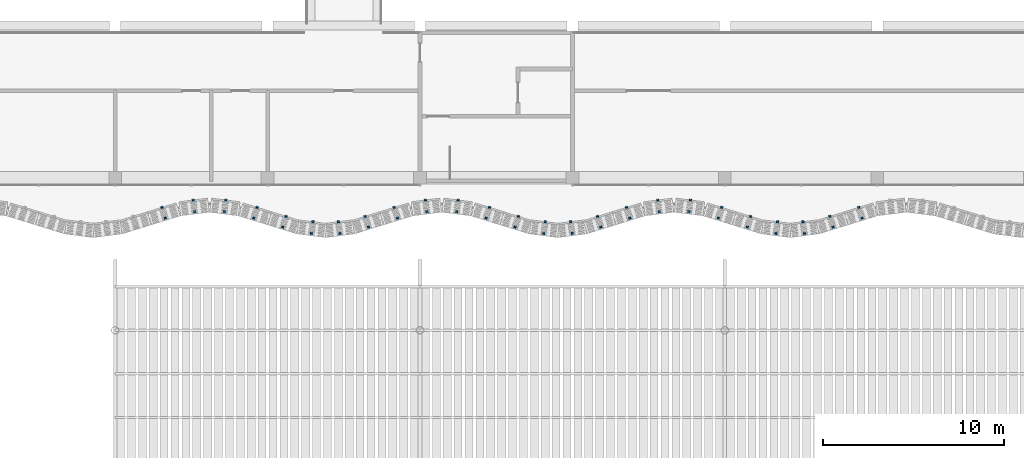
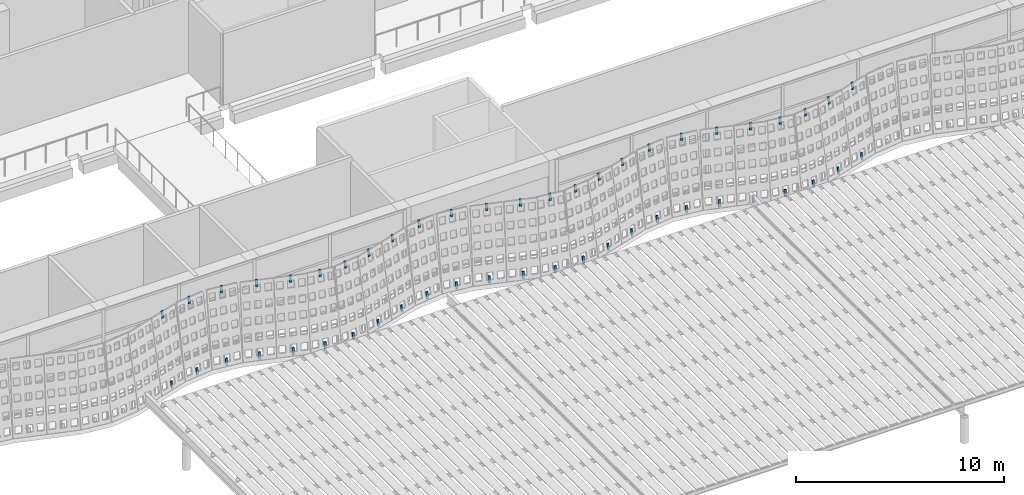
# One storey, part 107 of 162: 50 discrete accessories.
"""IFC4 building model written with IfcOpenShell, lengths in metres."""

from ifc_helpers import new_model, si_unit, direction, frame, origin, origin_2d, place, context, subcontext, project, spatial, rectangle, extrude, material, material_profile, profile_set, type_object, element, save


model = new_model("IFC4")

# Units and contexts
model_context = context("Model", 3, precision=1e-05, world=origin(), true_north=direction((0.0, 1.0)))
body_context = subcontext(model_context, "Body", "Model", "MODEL_VIEW")
ifc_project = project(units=[si_unit("LENGTHUNIT", "METRE"), si_unit("AREAUNIT", "SQUARE_METRE"), si_unit("VOLUMEUNIT", "CUBIC_METRE"), si_unit("PLANEANGLEUNIT", "RADIAN"), si_unit("MASSUNIT", "GRAM", prefix="KILO")], contexts=[model_context])

# Site, building, storey
site_placement = place(None, origin())
site = spatial("IfcSite", under=ifc_project, at=site_placement, CompositionType="ELEMENT")
building_placement = place(site_placement, origin())
building = spatial("IfcBuilding", under=site, at=building_placement, Name="Rain Tree Exposition and Congress Centre", CompositionType="ELEMENT")
storey_placement = place(building_placement, frame((0.0, 0.0, 6.0)))
storey = spatial("IfcBuildingStorey", under=building, at=storey_placement, Name="L01", CompositionType="ELEMENT", Elevation=6.0)

# Discrete accessories
ifc_material = material(Name="Steel S355J2", Category="steel")
ifc_material_profile = material_profile(ifc_material, rectangle(XDim=0.1201171875, YDim=0.050048828125, at=origin_2d()), Name="Flat bar 120x50")
ifc_profile_set = profile_set([ifc_material_profile], Name="Steel S355J2")
discrete_accessory_type = type_object("IfcDiscreteAccessoryType", Name="Screen bracket 120x50", PredefinedType="BRACKET", material=ifc_profile_set)
for number, where, z_axis, x_axis, name in (
    (1, (61.38671875, 73.936279296875, 3.85107421875), (-0.046383656621, 0.150746884018, 0.987483637007), (-0.955779008722, -0.294085848838, 0.0), "concourse/bracket/L01/0391t"),
    (2, (61.569091796875, 73.347412109375, 0.00390625), (-0.046988297524, 0.151338932283, 0.987364485624), (-0.955026538869, -0.296520336665, 0.0), "concourse/bracket/L01/0391b"),
):
    element("IfcDiscreteAccessory", number, at=place(storey_placement, frame(where, z_axis=z_axis, x_axis=x_axis)), inside=storey, type_object=discrete_accessory_type, Name=name, PredefinedType="BRACKET", context=body_context, shape_type="SweptSolid", body=[
        extrude(rectangle(XDim=0.1201171875, YDim=0.050048828125, at=origin_2d()), origin(), (0.0, 0.0, 1.0), 0.400146484375),
    ])
for number, where, z_axis, x_axis, name in (
    (3, (63.105224609375, 74.336181640625, 3.851318359375), (-0.020753706516, 0.162977636468, 0.986411462665), (-0.991989449114, -0.12632075382, 0.0), "concourse/bracket/L01/0401t"),
    (4, (63.1865234375, 73.701416015625, 0.004150390625), (-0.020753706516, 0.162977636468, 0.986411462665), (-0.991989449114, -0.12632075382, 0.0), "concourse/bracket/L01/0401b"),
    (5, (64.894775390625, 74.336181640625, 3.851318359375), (0.020753706516, 0.162977636468, 0.986411462665), (-0.991989449114, 0.12632075382, 0.0), "concourse/bracket/L01/0411t"),
    (6, (64.8134765625, 73.701416015625, 0.004150390625), (0.020753706516, 0.162977636468, 0.986411462665), (-0.991989449114, 0.12632075382, 0.0), "concourse/bracket/L01/0411b"),
):
    element("IfcDiscreteAccessory", number, at=place(storey_placement, frame(where, z_axis=z_axis, x_axis=x_axis)), inside=storey, type_object=discrete_accessory_type, Name=name, PredefinedType="BRACKET", context=body_context, shape_type="SweptSolid", body=[
        extrude(rectangle(XDim=0.1201171875, YDim=0.050048828125, at=origin_2d()), origin(), (0.0, 0.0, 1.0), 0.39990234375),
    ])
for number, where, z_axis, x_axis, name in (
    (7, (66.61328125, 73.936279296875, 3.85107421875), (0.046383656621, 0.150746884018, 0.987483637007), (-0.955779008722, 0.294085848838, 0.0), "concourse/bracket/L01/0421t"),
    (8, (66.430908203125, 73.347412109375, 0.00390625), (0.046988297524, 0.151338932283, 0.987364485624), (-0.955026538869, 0.296520336665, 0.0), "concourse/bracket/L01/0421b"),
    (9, (68.2099609375, 73.4423828125, 3.85107421875), (0.046383656621, 0.150746884018, 0.987483637007), (-0.955779008722, 0.294085848838, 0.0), "concourse/bracket/L01/0431t"),
    (10, (68.027587890625, 72.853515625, 0.00390625), (0.04699262887, 0.150742588713, 0.987455500152), (-0.954686073127, 0.297614686764, 0.0), "concourse/bracket/L01/0431b"),
):
    element("IfcDiscreteAccessory", number, at=place(storey_placement, frame(where, z_axis=z_axis, x_axis=x_axis)), inside=storey, type_object=discrete_accessory_type, Name=name, PredefinedType="BRACKET", context=body_context, shape_type="SweptSolid", body=[
        extrude(rectangle(XDim=0.1201171875, YDim=0.050048828125, at=origin_2d()), origin(), (0.0, 0.0, 1.0), 0.400146484375),
    ])
for number, where, z_axis, x_axis, name in (
    (11, (69.693115234375, 73.141357421875, 3.851318359375), (0.020753706516, 0.162977636468, 0.986411462665), (-0.991989449114, 0.12632075382, 0.0), "concourse/bracket/L01/0441t"),
    (12, (69.61181640625, 72.506591796875, 0.004150390625), (0.020753706516, 0.162977636468, 0.986411462665), (-0.991989449114, 0.12632075382, 0.0), "concourse/bracket/L01/0441b"),
    (13, (71.10693359375, 73.141357421875, 3.851318359375), (-0.020753706516, 0.162977636468, 0.986411462665), (-0.991989449114, -0.12632075382, 0.0), "concourse/bracket/L01/0451t"),
    (14, (71.188232421875, 72.506591796875, 0.004150390625), (-0.020753706516, 0.162977636468, 0.986411462665), (-0.991989449114, -0.12632075382, 0.0), "concourse/bracket/L01/0451b"),
):
    element("IfcDiscreteAccessory", number, at=place(storey_placement, frame(where, z_axis=z_axis, x_axis=x_axis)), inside=storey, type_object=discrete_accessory_type, Name=name, PredefinedType="BRACKET", context=body_context, shape_type="SweptSolid", body=[
        extrude(rectangle(XDim=0.1201171875, YDim=0.050048828125, at=origin_2d()), origin(), (0.0, 0.0, 1.0), 0.39990234375),
    ])
for number, where, z_axis, x_axis, name in (
    (15, (72.590087890625, 73.4423828125, 3.85107421875), (-0.04699262887, 0.150742588713, 0.987455500152), (-0.954686073127, -0.297614686764, 0.0), "concourse/bracket/L01/0461t"),
    (16, (72.772216796875, 72.853515625, 0.00390625), (-0.046383656621, 0.150746884018, 0.987483637007), (-0.955779008722, -0.294085848838, 0.0), "concourse/bracket/L01/0461b"),
    (17, (74.186767578125, 73.936279296875, 3.85107421875), (-0.046383656621, 0.150746884018, 0.987483637007), (-0.955779008722, -0.294085848838, 0.0), "concourse/bracket/L01/0471t"),
    (18, (74.368896484375, 73.347412109375, 0.00390625), (-0.04637938116, 0.151343243786, 0.9873926147), (-0.956111824862, -0.293002010845, 0.0), "concourse/bracket/L01/0471b"),
):
    element("IfcDiscreteAccessory", number, at=place(storey_placement, frame(where, z_axis=z_axis, x_axis=x_axis)), inside=storey, type_object=discrete_accessory_type, Name=name, PredefinedType="BRACKET", context=body_context, shape_type="SweptSolid", body=[
        extrude(rectangle(XDim=0.1201171875, YDim=0.050048828125, at=origin_2d()), origin(), (0.0, 0.0, 1.0), 0.400146484375),
    ])
for number, where, z_axis, x_axis, name in (
    (19, (75.9052734375, 74.336181640625, 3.851318359375), (-0.020753706516, 0.162977636468, 0.986411462665), (-0.991989449114, -0.12632075382, 0.0), "concourse/bracket/L01/0481t"),
    (20, (75.986572265625, 73.701416015625, 0.004150390625), (-0.020753706516, 0.162977636468, 0.986411462665), (-0.991989449114, -0.12632075382, 0.0), "concourse/bracket/L01/0481b"),
    (21, (77.694580078125, 74.336181640625, 3.851318359375), (0.020753706516, 0.162977636468, 0.986411462665), (-0.991989449114, 0.12632075382, 0.0), "concourse/bracket/L01/0491t"),
    (22, (77.61328125, 73.701416015625, 0.004150390625), (0.020753706516, 0.162977636468, 0.986411462665), (-0.991989449114, 0.12632075382, 0.0), "concourse/bracket/L01/0491b"),
):
    element("IfcDiscreteAccessory", number, at=place(storey_placement, frame(where, z_axis=z_axis, x_axis=x_axis)), inside=storey, type_object=discrete_accessory_type, Name=name, PredefinedType="BRACKET", context=body_context, shape_type="SweptSolid", body=[
        extrude(rectangle(XDim=0.1201171875, YDim=0.050048828125, at=origin_2d()), origin(), (0.0, 0.0, 1.0), 0.39990234375),
    ])
for number, where, z_axis, x_axis, name in (
    (23, (79.4130859375, 73.936279296875, 3.85107421875), (0.04699262887, 0.150742588713, 0.987455500152), (-0.954686073127, 0.297614686764, 0.0), "concourse/bracket/L01/0501t"),
    (24, (79.23095703125, 73.347412109375, 0.00390625), (0.046988297524, 0.151338932283, 0.987364485624), (-0.955026538869, 0.296520336665, 0.0), "concourse/bracket/L01/0501b"),
    (25, (81.010009765625, 73.4423828125, 3.85107421875), (0.046383656621, 0.150746884018, 0.987483637007), (-0.955779008722, 0.294085848838, 0.0), "concourse/bracket/L01/0511t"),
    (26, (80.82763671875, 72.853515625, 0.00390625), (0.04699262887, 0.150742588713, 0.987455500152), (-0.954686073127, 0.297614686764, 0.0), "concourse/bracket/L01/0511b"),
):
    element("IfcDiscreteAccessory", number, at=place(storey_placement, frame(where, z_axis=z_axis, x_axis=x_axis)), inside=storey, type_object=discrete_accessory_type, Name=name, PredefinedType="BRACKET", context=body_context, shape_type="SweptSolid", body=[
        extrude(rectangle(XDim=0.1201171875, YDim=0.050048828125, at=origin_2d()), origin(), (0.0, 0.0, 1.0), 0.400146484375),
    ])
for number, where, z_axis, x_axis, name in (
    (27, (82.492919921875, 73.141357421875, 3.851318359375), (0.021363835031, 0.162975541524, 0.986398783159), (-0.991517377774, 0.129974188098, 0.0), "concourse/bracket/L01/0521t"),
    (28, (82.41162109375, 72.506591796875, 0.004150390625), (0.020753706516, 0.162977636468, 0.986411462665), (-0.991989449114, 0.12632075382, 0.0), "concourse/bracket/L01/0521b"),
    (29, (83.906982421875, 73.141357421875, 3.851318359375), (-0.020753706516, 0.162977636468, 0.986411462665), (-0.991989449114, -0.12632075382, 0.0), "concourse/bracket/L01/0531t"),
    (30, (83.98828125, 72.506591796875, 0.004150390625), (-0.020753706516, 0.162977636468, 0.986411462665), (-0.991989449114, -0.12632075382, 0.0), "concourse/bracket/L01/0531b"),
):
    element("IfcDiscreteAccessory", number, at=place(storey_placement, frame(where, z_axis=z_axis, x_axis=x_axis)), inside=storey, type_object=discrete_accessory_type, Name=name, PredefinedType="BRACKET", context=body_context, shape_type="SweptSolid", body=[
        extrude(rectangle(XDim=0.1201171875, YDim=0.050048828125, at=origin_2d()), origin(), (0.0, 0.0, 1.0), 0.39990234375),
    ])
for number, where, z_axis, x_axis, name in (
    (31, (85.39013671875, 73.4423828125, 3.85107421875), (-0.04699262887, 0.150742588713, 0.987455500152), (-0.954686073127, -0.297614686764, 0.0), "concourse/bracket/L01/0541t"),
    (32, (85.572265625, 72.853515625, 0.00390625), (-0.046383656621, 0.150746884018, 0.987483637007), (-0.955779008722, -0.294085848838, 0.0), "concourse/bracket/L01/0541b"),
    (33, (86.98681640625, 73.936279296875, 3.85107421875), (-0.04699262887, 0.150742588713, 0.987455500152), (-0.954686073127, -0.297614686764, 0.0), "concourse/bracket/L01/0551t"),
    (34, (87.1689453125, 73.347412109375, 0.00390625), (-0.04637938116, 0.151343243786, 0.9873926147), (-0.956111824862, -0.293002010845, 0.0), "concourse/bracket/L01/0551b"),
):
    element("IfcDiscreteAccessory", number, at=place(storey_placement, frame(where, z_axis=z_axis, x_axis=x_axis)), inside=storey, type_object=discrete_accessory_type, Name=name, PredefinedType="BRACKET", context=body_context, shape_type="SweptSolid", body=[
        extrude(rectangle(XDim=0.1201171875, YDim=0.050048828125, at=origin_2d()), origin(), (0.0, 0.0, 1.0), 0.400146484375),
    ])
for number, where, z_axis, x_axis, name in (
    (35, (88.705322265625, 74.336181640625, 3.851318359375), (-0.020753706516, 0.162977636468, 0.986411462665), (-0.991989449114, -0.12632075382, 0.0), "concourse/bracket/L01/0561t"),
    (36, (88.78662109375, 73.701416015625, 0.004150390625), (-0.020753706516, 0.162977636468, 0.986411462665), (-0.991989449114, -0.12632075382, 0.0), "concourse/bracket/L01/0561b"),
    (37, (90.49462890625, 74.336181640625, 3.851318359375), (0.020753706516, 0.162977636468, 0.986411462665), (-0.991989449114, 0.12632075382, 0.0), "concourse/bracket/L01/0571t"),
    (38, (90.413330078125, 73.701416015625, 0.004150390625), (0.020753706516, 0.162977636468, 0.986411462665), (-0.991989449114, 0.12632075382, 0.0), "concourse/bracket/L01/0571b"),
):
    element("IfcDiscreteAccessory", number, at=place(storey_placement, frame(where, z_axis=z_axis, x_axis=x_axis)), inside=storey, type_object=discrete_accessory_type, Name=name, PredefinedType="BRACKET", context=body_context, shape_type="SweptSolid", body=[
        extrude(rectangle(XDim=0.1201171875, YDim=0.050048828125, at=origin_2d()), origin(), (0.0, 0.0, 1.0), 0.39990234375),
    ])
for number, where, z_axis, x_axis, name in (
    (39, (92.213134765625, 73.936279296875, 3.85107421875), (0.04699262887, 0.150742588713, 0.987455500152), (-0.954686073127, 0.297614686764, 0.0), "concourse/bracket/L01/0581t"),
    (40, (92.031005859375, 73.347412109375, 0.00390625), (0.046988297524, 0.151338932283, 0.987364485624), (-0.955026538869, 0.296520336665, 0.0), "concourse/bracket/L01/0581b"),
    (41, (93.809814453125, 73.4423828125, 3.85107421875), (0.04699262887, 0.150742588713, 0.987455500152), (-0.954686073127, 0.297614686764, 0.0), "concourse/bracket/L01/0591t"),
    (42, (93.627685546875, 72.853515625, 0.00390625), (0.04699262887, 0.150742588713, 0.987455500152), (-0.954686073127, 0.297614686764, 0.0), "concourse/bracket/L01/0591b"),
):
    element("IfcDiscreteAccessory", number, at=place(storey_placement, frame(where, z_axis=z_axis, x_axis=x_axis)), inside=storey, type_object=discrete_accessory_type, Name=name, PredefinedType="BRACKET", context=body_context, shape_type="SweptSolid", body=[
        extrude(rectangle(XDim=0.1201171875, YDim=0.050048828125, at=origin_2d()), origin(), (0.0, 0.0, 1.0), 0.400146484375),
    ])
for number, where, z_axis, x_axis, name in (
    (43, (95.29296875, 73.141357421875, 3.851318359375), (0.021363835031, 0.162975541524, 0.986398783159), (-0.991517377774, 0.129974188098, 0.0), "concourse/bracket/L01/0601t"),
    (44, (95.211669921875, 72.506591796875, 0.004150390625), (0.020753706516, 0.162977636468, 0.986411462665), (-0.991989449114, 0.12632075382, 0.0), "concourse/bracket/L01/0601b"),
    (45, (96.70703125, 73.141357421875, 3.851318359375), (-0.021363835031, 0.162975541524, 0.986398783159), (-0.991517377774, -0.129974188098, 0.0), "concourse/bracket/L01/0611t"),
    (46, (96.788330078125, 72.506591796875, 0.004150390625), (-0.020753706516, 0.162977636468, 0.986411462665), (-0.991989449114, -0.12632075382, 0.0), "concourse/bracket/L01/0611b"),
):
    element("IfcDiscreteAccessory", number, at=place(storey_placement, frame(where, z_axis=z_axis, x_axis=x_axis)), inside=storey, type_object=discrete_accessory_type, Name=name, PredefinedType="BRACKET", context=body_context, shape_type="SweptSolid", body=[
        extrude(rectangle(XDim=0.1201171875, YDim=0.050048828125, at=origin_2d()), origin(), (0.0, 0.0, 1.0), 0.39990234375),
    ])
for number, where, z_axis, x_axis, name in (
    (47, (98.190185546875, 73.4423828125, 3.85107421875), (-0.04699262887, 0.150742588713, 0.987455500152), (-0.954686073127, -0.297614686764, 0.0), "concourse/bracket/L01/0621t"),
    (48, (98.372314453125, 72.853515625, 0.00390625), (-0.04699262887, 0.150742588713, 0.987455500152), (-0.954686073127, -0.297614686764, 0.0), "concourse/bracket/L01/0621b"),
    (49, (99.786865234375, 73.936279296875, 3.85107421875), (-0.04699262887, 0.150742588713, 0.987455500152), (-0.954686073127, -0.297614686764, 0.0), "concourse/bracket/L01/0631t"),
    (50, (99.968994140625, 73.347412109375, 0.00390625), (-0.046988297524, 0.151338932283, 0.987364485624), (-0.955026538869, -0.296520336665, 0.0), "concourse/bracket/L01/0631b"),
):
    element("IfcDiscreteAccessory", number, at=place(storey_placement, frame(where, z_axis=z_axis, x_axis=x_axis)), inside=storey, type_object=discrete_accessory_type, Name=name, PredefinedType="BRACKET", context=body_context, shape_type="SweptSolid", body=[
        extrude(rectangle(XDim=0.1201171875, YDim=0.050048828125, at=origin_2d()), origin(), (0.0, 0.0, 1.0), 0.400146484375),
    ])

save(model, "model.ifc")
